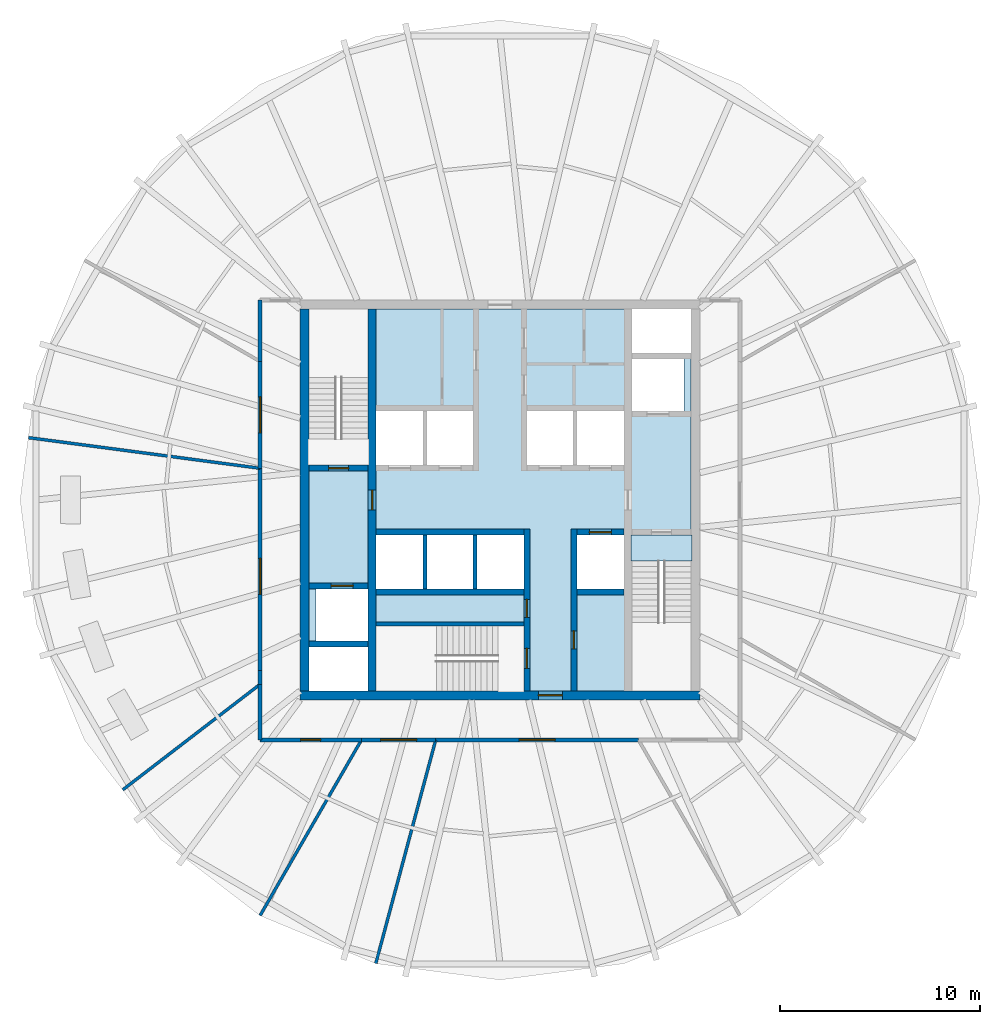
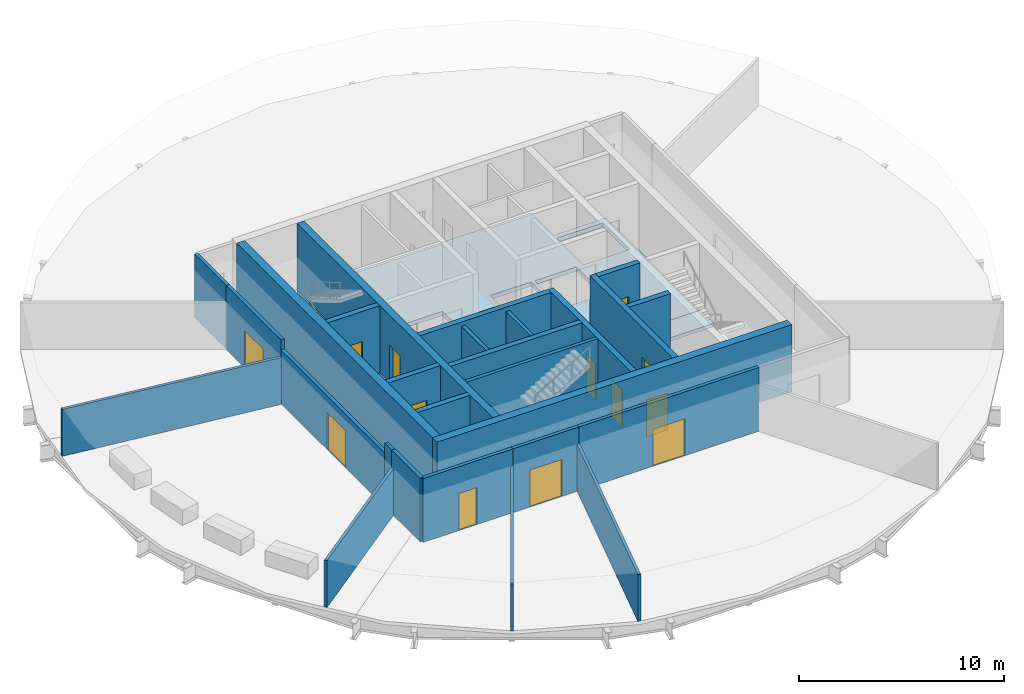
# One storey, part 3 of 7: 27 walls, 13 doors, 2 slabs, 13 openings.
"""IFC4 building model written with IfcOpenShell, lengths in metres."""

from ifc_helpers import new_model, si_unit, direction, frame, frame_2d, origin, place, context, subcontext, project, spatial, polyline, rectangle, outline, extrude, material, layer, layer_set, type_object, element, fill, save


model = new_model("IFC4")

# Units and contexts
model_context = context("Model", 3, precision=1e-05, world=origin(), true_north=direction((0.0, 1.0)))
body_context = subcontext(model_context, "Body", "Model", "MODEL_VIEW")
ifc_project = project(units=[si_unit("LENGTHUNIT", "METRE"), si_unit("AREAUNIT", "SQUARE_METRE"), si_unit("VOLUMEUNIT", "CUBIC_METRE"), si_unit("PLANEANGLEUNIT", "RADIAN"), si_unit("MASSUNIT", "GRAM", prefix="KILO")], contexts=[model_context])

# Site, building, storey
site_placement = place(None, origin())
site = spatial("IfcSite", under=ifc_project, at=site_placement, CompositionType="ELEMENT")
building_placement = place(site_placement, origin())
building = spatial("IfcBuilding", under=site, at=building_placement, Name="Golbaran Civic Tower", CompositionType="ELEMENT")
storey_placement = place(building_placement, frame((0.0, 0.0, 171.0)))
storey = spatial("IfcBuildingStorey", under=building, at=storey_placement, Name="L41", CompositionType="ELEMENT", Elevation=171.0)

# Slabs
ifc_material_1 = material(Name="Concrete C35/45", Category="concrete")
ifc_layer_1 = layer(ifc_material_1, 0.25, Name="Concrete C35/45")
ifc_layer_set_1 = layer_set([ifc_layer_1], Name="Concrete C35/45")
slab_type_1 = type_object("IfcSlabType", Name="CORE FLOOR SLAB 250", PredefinedType="FLOOR", material=ifc_layer_set_1)
slab_1_placement = place(storey_placement, frame((0.0, 0.0, -0.25)))
element("IfcSlab", 1, at=slab_1_placement, inside=storey, type_object=slab_type_1, Name="Core floor slab L41", PredefinedType="FLOOR", context=body_context, shape_type="SweptSolid", body=[
    extrude(outline(polyline([(6.60009765625, -1.75), (6.60009765625, -9.550048828125), (1.199951171875, -9.550048828125), (1.199951171875, -6.300048828125), (-6.199951171875, -6.300048828125), (-6.199951171875, -9.550048828125), (-6.60009765625, -9.550048828125), (-6.60009765625, -7.35009765625), (-9.550048828125, -7.35009765625), (-9.550048828125, 1.75), (-6.60009765625, 1.75), (-6.60009765625, 9.550048828125), (6.60009765625, 9.550048828125), (6.60009765625, 7.35009765625), (9.550048828125, 7.35009765625), (9.550048828125, -1.75), (6.60009765625, -1.75)]), holes=[polyline([(9.199951171875, 7.050048828125), (6.60009765625, 7.050048828125), (6.60009765625, 4.449951171875), (9.199951171875, 4.449951171875), (9.199951171875, 7.050048828125)]), polyline([(6.199951171875, -1.75), (3.85009765625, -1.75), (3.85009765625, -4.449951171875), (6.199951171875, -4.449951171875), (6.199951171875, -1.75)]), polyline([(6.199951171875, 4.449951171875), (3.85009765625, 4.449951171875), (3.85009765625, 1.75), (6.199951171875, 1.75), (6.199951171875, 4.449951171875)]), polyline([(3.64990234375, 4.449951171875), (1.35009765625, 4.449951171875), (1.35009765625, 1.75), (3.64990234375, 1.75), (3.64990234375, 4.449951171875)]), polyline([(1.199951171875, -1.75), (-1.14990234375, -1.75), (-1.14990234375, -4.449951171875), (1.199951171875, -4.449951171875), (1.199951171875, -1.75)]), polyline([(-1.35009765625, 4.449951171875), (-3.64990234375, 4.449951171875), (-3.64990234375, 1.75), (-1.35009765625, 1.75), (-1.35009765625, 4.449951171875)]), polyline([(-1.35009765625, -1.75), (-3.64990234375, -1.75), (-3.64990234375, -4.449951171875), (-1.35009765625, -4.449951171875), (-1.35009765625, -1.75)]), polyline([(-3.85009765625, -1.75), (-6.199951171875, -1.75), (-6.199951171875, -4.449951171875), (-3.85009765625, -4.449951171875), (-3.85009765625, -1.75)]), polyline([(-3.85009765625, 4.449951171875), (-6.199951171875, 4.449951171875), (-6.199951171875, 1.75), (-3.85009765625, 1.75), (-3.85009765625, 4.449951171875)]), polyline([(-6.60009765625, -4.449951171875), (-9.199951171875, -4.449951171875), (-9.199951171875, -7.050048828125), (-6.60009765625, -7.050048828125), (-6.60009765625, -4.449951171875)])]), origin(), (0.0, 0.0, 1.0), 0.25),
])
ifc_layer_2 = layer(ifc_material_1, 0.199951171875, Name="Concrete C35/45")
ifc_layer_set_2 = layer_set([ifc_layer_2], Name="Concrete C35/45")
slab_type_2 = type_object("IfcSlabType", Name="STAIR LANDING 200", PredefinedType="LANDING", material=ifc_layer_set_2)
slab_2_placement = place(storey_placement, frame((0.0, 0.0, -0.199951171875)))
element("IfcSlab", 2, at=slab_2_placement, inside=storey, type_object=slab_type_2, Name="Stair S2 floor landing L41", PredefinedType="LANDING", context=body_context, shape_type="SweptSolid", body=[
    extrude(outline(polyline([(9.60009765625, -1.75), (9.60009765625, -3.054931640625), (6.550048828125, -3.054931640625), (6.550048828125, -1.75), (9.60009765625, -1.75)])), origin(), (0.0, 0.0, 1.0), 0.199951171875),
])

# Wall, opening, door
ifc_material_2 = material(Name="Concrete C50/60", Category="concrete")
ifc_layer_3 = layer(ifc_material_2, 0.39990234375, Name="Concrete C50/60")
ifc_layer_set_3 = layer_set([ifc_layer_3], Name="Concrete C50/60")
wall_type_1 = type_object("IfcWallType", Name="CORE WALL CONCRETE 400", PredefinedType="SOLIDWALL", material=ifc_layer_set_3)
wall_1_placement = place(storey_placement, frame((-6.39990234375, -9.550048828125, 0.0), z_axis=(0.0, 0.0, 1.0), x_axis=(0.0, 1.0, 0.0)))
wall_1 = element("IfcWall", 3, at=wall_1_placement, inside=storey, type_object=wall_type_1, Name="Core wall IW L41", PredefinedType="SOLIDWALL", context=body_context, shape_type="SweptSolid", body=[
    extrude(rectangle(XDim=19.10009765625, YDim=0.39990234375, at=frame_2d((9.550048828125, 0.0))), origin(), (0.0, 0.0, 1.0), 4.0),
])
opening_1_placement = place(wall_1_placement, frame((9.050048828125, 0.0, 0.0)))
opening_1 = element("IfcOpeningElement", 4, at=opening_1_placement, cuts=wall_1, Name="Opening L41.FL1", PredefinedType="OPENING", context=body_context, shape_type="SweptSolid", body=[
    extrude(rectangle(XDim=1.0, YDim=2.199951171875, at=frame_2d((0.5, 1.10009765625))), frame((0.0, 0.2099609375, 0.0), z_axis=(0.0, -1.0, 0.0), x_axis=(1.0, 0.0, 0.0)), (0.0, 0.0, 1.0), 0.419921875),
])
ifc_material_3 = material(Name="Timber door set in steel frame", Category="steel")
door_type_1 = type_object("IfcDoorType", Name="STAIR DOOR 1000x2200", OperationType="SINGLE_SWING_LEFT", PredefinedType="DOOR", material=ifc_material_3)
door_1_placement = place(opening_1_placement, origin())
door_1 = element("IfcDoor", 5, at=door_1_placement, inside=storey, type_object=door_type_1, Name="Fire-fighting lobby FL1 door", OperationType="SINGLE_SWING_LEFT", OverallHeight=2.199951171875, OverallWidth=1.0, PredefinedType="DOOR", context=body_context, shape_type="SweptSolid", body=[
    extrude(rectangle(XDim=1.0, YDim=2.199951171875, at=frame_2d((0.5, 1.10009765625))), frame((0.0, 0.02490234375, 0.0), z_axis=(0.0, -1.0, 0.0), x_axis=(1.0, 0.0, 0.0)), (0.0, 0.0, 1.0), 0.050048828125),
])
fill(opening_1, door_1)

ifc_layer_4 = layer(ifc_material_2, 0.449951171875, Name="Concrete C50/60")
ifc_layer_set_4 = layer_set([ifc_layer_4], Name="Concrete C50/60")
wall_type_2 = type_object("IfcWallType", Name="CORE WALL CONCRETE 450", PredefinedType="SOLIDWALL", material=ifc_layer_set_4)
wall_2_placement = place(storey_placement, frame((10.0, -9.77490234375, 0.0), z_axis=(0.0, 0.0, 1.0), x_axis=(-1.0, 0.0, 0.0)))
wall_2 = element("IfcWall", 6, at=wall_2_placement, inside=storey, type_object=wall_type_2, Name="Core wall CS L41", PredefinedType="SOLIDWALL", context=body_context, shape_type="SweptSolid", body=[
    extrude(rectangle(XDim=20.0, YDim=0.449951171875, at=frame_2d((10.0, 0.0))), origin(), (0.0, 0.0, 1.0), 4.0),
])
opening_2_placement = place(wall_2_placement, frame((6.875, 0.0, 0.0)))
opening_2 = element("IfcOpeningElement", 7, at=opening_2_placement, cuts=wall_2, Name="Opening L41.CS", PredefinedType="OPENING", context=body_context, shape_type="SweptSolid", body=[
    extrude(rectangle(XDim=1.199951171875, YDim=2.199951171875, at=frame_2d((0.60009765625, 1.10009765625))), frame((0.0, 0.23486328125, 0.0), z_axis=(0.0, -1.0, 0.0), x_axis=(1.0, 0.0, 0.0)), (0.0, 0.0, 1.0), 0.469970703125),
])
door_type_2 = type_object("IfcDoorType", Name="CORE DOOR 1200x2200", OperationType="DOUBLE_DOOR_SINGLE_SWING", PredefinedType="DOOR", material=ifc_material_3)
door_2_placement = place(opening_2_placement, origin())
door_2 = element("IfcDoor", 8, at=door_2_placement, inside=storey, type_object=door_type_2, Name="Core door south", OperationType="DOUBLE_DOOR_SINGLE_SWING", OverallHeight=2.199951171875, OverallWidth=1.199951171875, PredefinedType="DOOR", context=body_context, shape_type="SweptSolid", body=[
    extrude(rectangle(XDim=1.199951171875, YDim=2.199951171875, at=frame_2d((0.60009765625, 1.10009765625))), frame((0.0, 0.02490234375, 0.0), z_axis=(0.0, -1.0, 0.0), x_axis=(1.0, 0.0, 0.0)), (0.0, 0.0, 1.0), 0.050048828125),
])
fill(opening_2, door_2)

# Walls
wall_3_placement = place(storey_placement, frame((-9.77490234375, 9.550048828125, 0.0), z_axis=(0.0, 0.0, 1.0), x_axis=(0.0, -1.0, 0.0)))
element("IfcWall", 9, at=wall_3_placement, inside=storey, type_object=wall_type_2, Name="Core wall CW L41", PredefinedType="SOLIDWALL", context=body_context, shape_type="SweptSolid", body=[
    extrude(rectangle(XDim=19.10009765625, YDim=0.449951171875, at=frame_2d((9.550048828125, 0.0))), origin(), (0.0, 0.0, 1.0), 4.0),
])
ifc_material_4 = material(Name="Gypsum board on steel studs, fire-rated", Category="steel")
ifc_layer_5 = layer(ifc_material_4, 0.199951171875, Name="Gypsum board on steel studs, fire-rated")
ifc_layer_set_5 = layer_set([ifc_layer_5], Name="Gypsum board on steel studs, fire-rated")
wall_type_3 = type_object("IfcWallType", Name="CORRIDOR WALL 200", PredefinedType="PARTITIONING", material=ifc_layer_set_5)
wall_4_placement = place(storey_placement, frame((-12.0, 10.0, 0.0), z_axis=(0.0, 0.0, 1.0), x_axis=(0.0, -1.0, 0.0)))
element("IfcWall", 10, at=wall_4_placement, inside=storey, type_object=wall_type_3, Name="Corridor wall L41", PredefinedType="PARTITIONING", context=body_context, shape_type="SweptSolid", body=[
    extrude(rectangle(XDim=3.07177734375, YDim=0.199951171875, at=frame_2d((1.535888671875, 0.0))), origin(), (0.0, 0.0, 1.0), 3.800048828125),
])

# Wall, opening, door
wall_5_placement = place(storey_placement, frame((-12.0, 6.92822265625, 0.0), z_axis=(0.0, 0.0, 1.0), x_axis=(0.0, -1.0, 0.0)))
wall_5 = element("IfcWall", 11, at=wall_5_placement, inside=storey, type_object=wall_type_3, Name="Corridor wall L41", PredefinedType="PARTITIONING", context=body_context, shape_type="SweptSolid", body=[
    extrude(rectangle(XDim=5.341552734375, YDim=0.199951171875, at=frame_2d((2.6708984375, 0.0))), origin(), (0.0, 0.0, 1.0), 3.800048828125),
])
opening_3_placement = place(wall_5_placement, frame((1.770751953125, 0.0, 0.0)))
opening_3 = element("IfcOpeningElement", 12, at=opening_3_placement, cuts=wall_5, Name="Opening L41.03", PredefinedType="OPENING", context=body_context, shape_type="SweptSolid", body=[
    extrude(rectangle(XDim=1.800048828125, YDim=2.199951171875, at=frame_2d((0.89990234375, 1.10009765625))), frame((0.0, 0.10986328125, 0.0), z_axis=(0.0, -1.0, 0.0), x_axis=(1.0, 0.0, 0.0)), (0.0, 0.0, 1.0), 0.219970703125),
])
door_type_3 = type_object("IfcDoorType", Name="OFFICE DOUBLE DOOR 1800x2200", OperationType="DOUBLE_DOOR_SINGLE_SWING", PredefinedType="DOOR", material=ifc_material_3)
door_3_placement = place(opening_3_placement, origin())
door_3 = element("IfcDoor", 13, at=door_3_placement, inside=storey, type_object=door_type_3, Name="Staff Lounge door L41", OperationType="DOUBLE_DOOR_SINGLE_SWING", OverallHeight=2.199951171875, OverallWidth=1.800048828125, PredefinedType="DOOR", context=body_context, shape_type="SweptSolid", body=[
    extrude(rectangle(XDim=1.800048828125, YDim=2.199951171875, at=frame_2d((0.89990234375, 1.10009765625))), frame((0.0, 0.02490234375, 0.0), z_axis=(0.0, -1.0, 0.0), x_axis=(1.0, 0.0, 0.0)), (0.0, 0.0, 1.0), 0.050048828125),
])
fill(opening_3, door_3)

wall_6_placement = place(storey_placement, frame((-12.0, 1.586669921875, 0.0), z_axis=(0.0, 0.0, 1.0), x_axis=(0.0, -1.0, 0.0)))
wall_6 = element("IfcWall", 14, at=wall_6_placement, inside=storey, type_object=wall_type_3, Name="Corridor wall L41", PredefinedType="PARTITIONING", context=body_context, shape_type="SweptSolid", body=[
    extrude(rectangle(XDim=10.12353515625, YDim=0.199951171875, at=frame_2d((5.061767578125, 0.0))), origin(), (0.0, 0.0, 1.0), 3.199951171875),
])
opening_4_placement = place(wall_6_placement, frame((4.502685546875, 0.0, 0.0)))
opening_4 = element("IfcOpeningElement", 15, at=opening_4_placement, cuts=wall_6, Name="Opening L41.04", PredefinedType="OPENING", context=body_context, shape_type="SweptSolid", body=[
    extrude(rectangle(XDim=1.800048828125, YDim=2.199951171875, at=frame_2d((0.89990234375, 1.10009765625))), frame((0.0, 0.10986328125, 0.0), z_axis=(0.0, -1.0, 0.0), x_axis=(1.0, 0.0, 0.0)), (0.0, 0.0, 1.0), 0.219970703125),
])
door_4_placement = place(opening_4_placement, origin())
door_4 = element("IfcDoor", 16, at=door_4_placement, inside=storey, type_object=door_type_3, Name="Sky Garden door L41", OperationType="DOUBLE_DOOR_SINGLE_SWING", OverallHeight=2.199951171875, OverallWidth=1.800048828125, PredefinedType="DOOR", context=body_context, shape_type="SweptSolid", body=[
    extrude(rectangle(XDim=1.800048828125, YDim=2.199951171875, at=frame_2d((0.89990234375, 1.10009765625))), frame((0.0, 0.02490234375, 0.0), z_axis=(0.0, -1.0, 0.0), x_axis=(1.0, 0.0, 0.0)), (0.0, 0.0, 1.0), 0.050048828125),
])
fill(opening_4, door_4)

# Walls
wall_7_placement = place(storey_placement, frame((-12.0, -8.536865234375, 0.0), z_axis=(0.0, 0.0, 1.0), x_axis=(0.0, -1.0, 0.0)))
element("IfcWall", 17, at=wall_7_placement, inside=storey, type_object=wall_type_3, Name="Corridor wall L41 (part 2)", PredefinedType="PARTITIONING", context=body_context, shape_type="SweptSolid", body=[
    extrude(rectangle(XDim=0.681884765625, YDim=0.199951171875, at=frame_2d((0.3408203125, 0.0))), origin(), (0.0, 0.0, 1.0), 3.800048828125),
])
wall_8_placement = place(storey_placement, frame((-12.0, -9.21875, 0.0), z_axis=(0.0, 0.0, 1.0), x_axis=(0.0, -1.0, 0.0)))
element("IfcWall", 18, at=wall_8_placement, inside=storey, type_object=wall_type_3, Name="Corridor wall L41", PredefinedType="PARTITIONING", context=body_context, shape_type="SweptSolid", body=[
    extrude(rectangle(XDim=2.78125, YDim=0.199951171875, at=frame_2d((1.390625, 0.0))), origin(), (0.0, 0.0, 1.0), 3.800048828125),
])

# Wall, opening, door
wall_9_placement = place(storey_placement, frame((-12.0, -12.0, 0.0), z_axis=(0.0, 0.0, 1.0), x_axis=(1.0, 0.0, 0.0)))
wall_9 = element("IfcWall", 19, at=wall_9_placement, inside=storey, type_object=wall_type_3, Name="Corridor wall L41", PredefinedType="PARTITIONING", context=body_context, shape_type="SweptSolid", body=[
    extrude(rectangle(XDim=5.07177734375, YDim=0.199951171875, at=frame_2d((2.535888671875, 0.0))), origin(), (0.0, 0.0, 1.0), 3.800048828125),
])
opening_5_placement = place(wall_9_placement, frame((2.035888671875, 0.0, 0.0)))
opening_5 = element("IfcOpeningElement", 20, at=opening_5_placement, cuts=wall_9, Name="Opening L41.05", PredefinedType="OPENING", context=body_context, shape_type="SweptSolid", body=[
    extrude(rectangle(XDim=1.0, YDim=2.199951171875, at=frame_2d((0.5, 1.10009765625))), frame((0.0, 0.10986328125, 0.0), z_axis=(0.0, -1.0, 0.0), x_axis=(1.0, 0.0, 0.0)), (0.0, 0.0, 1.0), 0.219970703125),
])
door_type_4 = type_object("IfcDoorType", Name="OFFICE DOOR 1000x2200", OperationType="SINGLE_SWING_LEFT", PredefinedType="DOOR", material=ifc_material_3)
door_5_placement = place(opening_5_placement, origin())
door_5 = element("IfcDoor", 21, at=door_5_placement, inside=storey, type_object=door_type_4, Name="Project Room door L41", OperationType="SINGLE_SWING_LEFT", OverallHeight=2.199951171875, OverallWidth=1.0, PredefinedType="DOOR", context=body_context, shape_type="SweptSolid", body=[
    extrude(rectangle(XDim=1.0, YDim=2.199951171875, at=frame_2d((0.5, 1.10009765625))), frame((0.0, 0.02490234375, 0.0), z_axis=(0.0, -1.0, 0.0), x_axis=(1.0, 0.0, 0.0)), (0.0, 0.0, 1.0), 0.050048828125),
])
fill(opening_5, door_5)

wall_10_placement = place(storey_placement, frame((-6.92822265625, -12.0, 0.0), z_axis=(0.0, 0.0, 1.0), x_axis=(1.0, 0.0, 0.0)))
wall_10 = element("IfcWall", 22, at=wall_10_placement, inside=storey, type_object=wall_type_3, Name="Corridor wall L41", PredefinedType="PARTITIONING", context=body_context, shape_type="SweptSolid", body=[
    extrude(rectangle(XDim=3.712890625, YDim=0.199951171875, at=frame_2d((1.8564453125, 0.0))), origin(), (0.0, 0.0, 1.0), 3.800048828125),
])
opening_6_placement = place(wall_10_placement, frame((0.956298828125, 0.0, 0.0)))
opening_6 = element("IfcOpeningElement", 23, at=opening_6_placement, cuts=wall_10, Name="Opening L41.06", PredefinedType="OPENING", context=body_context, shape_type="SweptSolid", body=[
    extrude(rectangle(XDim=1.800048828125, YDim=2.199951171875, at=frame_2d((0.89990234375, 1.10009765625))), frame((0.0, 0.10986328125, 0.0), z_axis=(0.0, -1.0, 0.0), x_axis=(1.0, 0.0, 0.0)), (0.0, 0.0, 1.0), 0.219970703125),
])
door_6_placement = place(opening_6_placement, origin())
door_6 = element("IfcDoor", 24, at=door_6_placement, inside=storey, type_object=door_type_3, Name="IT Services Office door L41", OperationType="DOUBLE_DOOR_SINGLE_SWING", OverallHeight=2.199951171875, OverallWidth=1.800048828125, PredefinedType="DOOR", context=body_context, shape_type="SweptSolid", body=[
    extrude(rectangle(XDim=1.800048828125, YDim=2.199951171875, at=frame_2d((0.89990234375, 1.10009765625))), frame((0.0, 0.02490234375, 0.0), z_axis=(0.0, -1.0, 0.0), x_axis=(1.0, 0.0, 0.0)), (0.0, 0.0, 1.0), 0.050048828125),
])
fill(opening_6, door_6)

wall_11_placement = place(storey_placement, frame((-3.21533203125, -12.0, 0.0), z_axis=(0.0, 0.0, 1.0), x_axis=(1.0, 0.0, 0.0)))
wall_11 = element("IfcWall", 25, at=wall_11_placement, inside=storey, type_object=wall_type_3, Name="Corridor wall L41", PredefinedType="PARTITIONING", context=body_context, shape_type="SweptSolid", body=[
    extrude(rectangle(XDim=10.1435546875, YDim=0.199951171875, at=frame_2d((5.07177734375, 0.0))), origin(), (0.0, 0.0, 1.0), 3.800048828125),
])
opening_7_placement = place(wall_11_placement, frame((4.171875, 0.0, 0.0)))
opening_7 = element("IfcOpeningElement", 26, at=opening_7_placement, cuts=wall_11, Name="Opening L41.07", PredefinedType="OPENING", context=body_context, shape_type="SweptSolid", body=[
    extrude(rectangle(XDim=1.800048828125, YDim=2.199951171875, at=frame_2d((0.89990234375, 1.10009765625))), frame((0.0, 0.10986328125, 0.0), z_axis=(0.0, -1.0, 0.0), x_axis=(1.0, 0.0, 0.0)), (0.0, 0.0, 1.0), 0.219970703125),
])
door_7_placement = place(opening_7_placement, origin())
door_7 = element("IfcDoor", 27, at=door_7_placement, inside=storey, type_object=door_type_3, Name="IT Services Office door L41", OperationType="DOUBLE_DOOR_SINGLE_SWING", OverallHeight=2.199951171875, OverallWidth=1.800048828125, PredefinedType="DOOR", context=body_context, shape_type="SweptSolid", body=[
    extrude(rectangle(XDim=1.800048828125, YDim=2.199951171875, at=frame_2d((0.89990234375, 1.10009765625))), frame((0.0, 0.02490234375, 0.0), z_axis=(0.0, -1.0, 0.0), x_axis=(1.0, 0.0, 0.0)), (0.0, 0.0, 1.0), 0.050048828125),
])
fill(opening_7, door_7)

# Walls
ifc_material_5 = material(Name="Concrete block", Category="concrete")
ifc_layer_6 = layer(ifc_material_5, 0.199951171875, Name="Concrete block")
ifc_layer_set_6 = layer_set([ifc_layer_6], Name="Concrete block")
wall_type_4 = type_object("IfcWallType", Name="LIFT SEPARATOR WALL 200", PredefinedType="SOLIDWALL", material=ifc_layer_set_6)
for number, where, z_axis, x_axis, name in (
    (28, (-3.75, -1.75, 0.0), (0.0, 0.0, 1.0), (0.0, -1.0, 0.0), "Core partition SSW L41"),
    (29, (-1.25, -1.75, 0.0), (0.0, 0.0, 1.0), (0.0, -1.0, 0.0), "Core partition SSM L41"),
):
    element("IfcWall", number, at=place(storey_placement, frame(where, z_axis=z_axis, x_axis=x_axis)), inside=storey, type_object=wall_type_4, Name=name, PredefinedType="SOLIDWALL", context=body_context, shape_type="SweptSolid", body=[
        extrude(rectangle(XDim=2.699951171875, YDim=0.199951171875, at=frame_2d((1.35009765625, 0.0))), origin(), (0.0, 0.0, 1.0), 3.75),
    ])
ifc_material_6 = material(Name="Gypsum board on steel studs", Category="steel")
ifc_layer_7 = layer(ifc_material_6, 0.14990234375, Name="Gypsum board on steel studs")
ifc_layer_set_7 = layer_set([ifc_layer_7], Name="Gypsum board on steel studs")
wall_type_5 = type_object("IfcWallType", Name="OFFICE PARTITION 150", PredefinedType="PARTITIONING", material=ifc_layer_set_7)
wall_12_placement = place(storey_placement, frame((-12.0, 1.586669921875, 0.0), z_axis=(0.0, 0.0, 1.0), x_axis=(-0.991370229238, 0.131091832627, 0.0)))
element("IfcWall", 30, at=wall_12_placement, inside=storey, type_object=wall_type_5, Name="Partition 172.467 L41", PredefinedType="PARTITIONING", context=body_context, shape_type="SweptSolid", body=[
    extrude(rectangle(XDim=11.6826171875, YDim=0.14990234375, at=frame_2d((5.84130859375, 0.0))), origin(), (0.0, 0.0, 1.0), 2.7900390625),
])
wall_13_placement = place(storey_placement, frame((-12.0, -9.21875, 0.0), z_axis=(0.0, 0.0, 1.0), x_axis=(-0.793000302296, -0.60922124106, 0.0)))
element("IfcWall", 31, at=wall_13_placement, inside=storey, type_object=wall_type_5, Name="Partition 217.533 L41", PredefinedType="PARTITIONING", context=body_context, shape_type="SweptSolid", body=[
    extrude(rectangle(XDim=8.65478515625, YDim=0.14990234375, at=frame_2d((4.327392578125, 0.0))), origin(), (0.0, 0.0, 1.0), 2.7900390625),
])
wall_14_placement = place(storey_placement, frame((-6.92822265625, -12.0, 0.0), z_axis=(0.0, 0.0, 1.0), x_axis=(-0.49999906822, -0.866025941747, 0.0)))
element("IfcWall", 32, at=wall_14_placement, inside=storey, type_object=wall_type_5, Name="Partition 240 L41", PredefinedType="PARTITIONING", context=body_context, shape_type="SweptSolid", body=[
    extrude(rectangle(XDim=10.1357421875, YDim=0.14990234375, at=frame_2d((5.06787109375, 0.0))), origin(), (0.0, 0.0, 1.0), 2.7900390625),
])
wall_15_placement = place(storey_placement, frame((-3.21533203125, -12.0, 0.0), z_axis=(0.0, 0.0, 1.0), x_axis=(-0.258827502911, -0.965923559986, 0.0)))
element("IfcWall", 33, at=wall_15_placement, inside=storey, type_object=wall_type_5, Name="Partition 255 L41", PredefinedType="PARTITIONING", context=body_context, shape_type="SweptSolid", body=[
    extrude(rectangle(XDim=11.569091796875, YDim=0.14990234375, at=frame_2d((5.78466796875, 0.0))), origin(), (0.0, 0.0, 1.0), 2.7900390625),
])
ifc_layer_8 = layer(ifc_material_2, 0.199951171875, Name="Concrete C50/60")
ifc_layer_set_8 = layer_set([ifc_layer_8], Name="Concrete C50/60")
wall_type_6 = type_object("IfcWallType", Name="SHAFT WALL CONCRETE 200", PredefinedType="SOLIDWALL", material=ifc_layer_set_8)
wall_16_placement = place(storey_placement, frame((-6.199951171875, -6.199951171875, 0.0), z_axis=(0.0, 0.0, 1.0), x_axis=(1.0, 0.0, 0.0)))
element("IfcWall", 34, at=wall_16_placement, inside=storey, type_object=wall_type_6, Name="Core wall S3N L41", PredefinedType="SOLIDWALL", context=body_context, shape_type="SweptSolid", body=[
    extrude(rectangle(XDim=7.39990234375, YDim=0.199951171875, at=frame_2d((3.699951171875, 0.0))), origin(), (0.0, 0.0, 1.0), 4.0),
])
ifc_layer_9 = layer(ifc_material_2, 0.300048828125, Name="Concrete C50/60")
ifc_layer_set_9 = layer_set([ifc_layer_9], Name="Concrete C50/60")
wall_type_7 = type_object("IfcWallType", Name="SHAFT WALL CONCRETE 300", PredefinedType="SOLIDWALL", material=ifc_layer_set_9)
wall_17_placement = place(storey_placement, frame((-6.199951171875, -1.60009765625, 0.0), z_axis=(0.0, 0.0, 1.0), x_axis=(1.0, 0.0, 0.0)))
element("IfcWall", 35, at=wall_17_placement, inside=storey, type_object=wall_type_7, Name="Core wall FSW L41", PredefinedType="SOLIDWALL", context=body_context, shape_type="SweptSolid", body=[
    extrude(rectangle(XDim=7.39990234375, YDim=0.300048828125, at=frame_2d((3.699951171875, 0.0))), origin(), (0.0, 0.0, 1.0), 4.0),
])

# Wall, opening, door
wall_18_placement = place(storey_placement, frame((3.85009765625, -1.60009765625, 0.0), z_axis=(0.0, 0.0, 1.0), x_axis=(1.0, 0.0, 0.0)))
wall_18 = element("IfcWall", 36, at=wall_18_placement, inside=storey, type_object=wall_type_7, Name="Core wall FSE L41", PredefinedType="SOLIDWALL", context=body_context, shape_type="SweptSolid", body=[
    extrude(rectangle(XDim=2.349853515625, YDim=0.300048828125, at=frame_2d((1.1748046875, 0.0))), origin(), (0.0, 0.0, 1.0), 4.0),
])
opening_8_placement = place(wall_18_placement, frame((0.625, 0.0, 0.0)))
opening_8 = element("IfcOpeningElement", 37, at=opening_8_placement, cuts=wall_18, Name="Opening L41.LD-V1", PredefinedType="OPENING", context=body_context, shape_type="SweptSolid", body=[
    extrude(rectangle(XDim=1.10009765625, YDim=2.199951171875, at=frame_2d((0.550048828125, 1.10009765625))), frame((0.0, 0.159912109375, 0.0), z_axis=(0.0, -1.0, 0.0), x_axis=(1.0, 0.0, 0.0)), (0.0, 0.0, 1.0), 0.320068359375),
])
ifc_material_7 = material(Name="Stainless steel", Category="steel")
door_type_5 = type_object("IfcDoorType", Name="LIFT LANDING DOOR 1100x2200", OperationType="SLIDING_TO_LEFT", PredefinedType="DOOR", material=ifc_material_7)
door_8_placement = place(opening_8_placement, origin())
door_8 = element("IfcDoor", 38, at=door_8_placement, inside=storey, type_object=door_type_5, Name="Lift landing door V1", OperationType="SLIDING_TO_LEFT", OverallHeight=2.199951171875, OverallWidth=1.10009765625, PredefinedType="DOOR", context=body_context, shape_type="SweptSolid", body=[
    extrude(rectangle(XDim=1.10009765625, YDim=2.199951171875, at=frame_2d((0.550048828125, 1.10009765625))), frame((0.0, 0.02490234375, 0.0), z_axis=(0.0, -1.0, 0.0), x_axis=(1.0, 0.0, 0.0)), (0.0, 0.0, 1.0), 0.050048828125),
])
fill(opening_8, door_8)

# Walls
wall_19_placement = place(storey_placement, frame((-6.199951171875, -4.60009765625, 0.0), z_axis=(0.0, 0.0, 1.0), x_axis=(1.0, 0.0, 0.0)))
element("IfcWall", 39, at=wall_19_placement, inside=storey, type_object=wall_type_7, Name="Core wall BSW L41", PredefinedType="SOLIDWALL", context=body_context, shape_type="SweptSolid", body=[
    extrude(rectangle(XDim=7.39990234375, YDim=0.300048828125, at=frame_2d((3.699951171875, 0.0))), origin(), (0.0, 0.0, 1.0), 4.0),
])
wall_20_placement = place(storey_placement, frame((3.85009765625, -4.60009765625, 0.0), z_axis=(0.0, 0.0, 1.0), x_axis=(1.0, 0.0, 0.0)))
element("IfcWall", 40, at=wall_20_placement, inside=storey, type_object=wall_type_7, Name="Core wall BSE L41", PredefinedType="SOLIDWALL", context=body_context, shape_type="SweptSolid", body=[
    extrude(rectangle(XDim=2.349853515625, YDim=0.300048828125, at=frame_2d((1.1748046875, 0.0))), origin(), (0.0, 0.0, 1.0), 4.0),
])

# Wall, openings, doors
wall_21_placement = place(storey_placement, frame((1.35009765625, -1.449951171875, 0.0), z_axis=(0.0, 0.0, 1.0), x_axis=(0.0, -1.0, 0.0)))
wall_21 = element("IfcWall", 41, at=wall_21_placement, inside=storey, type_object=wall_type_7, Name="Core wall PSW L41", PredefinedType="SOLIDWALL", context=body_context, shape_type="SweptSolid", body=[
    extrude(rectangle(XDim=8.10009765625, YDim=0.300048828125, at=frame_2d((4.050048828125, 0.0))), origin(), (0.0, 0.0, 1.0), 4.0),
])
opening_9_placement = place(wall_21_placement, frame((5.97509765625, 0.0, 0.0)))
opening_9 = element("IfcOpeningElement", 42, at=opening_9_placement, cuts=wall_21, Name="Opening L41.S3", PredefinedType="OPENING", context=body_context, shape_type="SweptSolid", body=[
    extrude(rectangle(XDim=1.0, YDim=2.199951171875, at=frame_2d((0.5, 1.10009765625))), frame((0.0, 0.159912109375, 0.0), z_axis=(0.0, -1.0, 0.0), x_axis=(1.0, 0.0, 0.0)), (0.0, 0.0, 1.0), 0.320068359375),
])
opening_10_placement = place(wall_21_placement, frame((3.52490234375, 0.0, 0.0)))
opening_10 = element("IfcOpeningElement", 43, at=opening_10_placement, cuts=wall_21, Name="Opening L41.RE", PredefinedType="OPENING", context=body_context, shape_type="SweptSolid", body=[
    extrude(rectangle(XDim=0.89990234375, YDim=2.199951171875, at=frame_2d((0.449951171875, 1.10009765625))), frame((0.0, 0.159912109375, 0.0), z_axis=(0.0, -1.0, 0.0), x_axis=(1.0, 0.0, 0.0)), (0.0, 0.0, 1.0), 0.320068359375),
])
door_type_6 = type_object("IfcDoorType", Name="RISER DOOR 900x2200", OperationType="SINGLE_SWING_LEFT", PredefinedType="DOOR", material=ifc_material_3)
door_9_placement = place(opening_10_placement, origin())
door_9 = element("IfcDoor", 44, at=door_9_placement, inside=storey, type_object=door_type_6, Name="Electrical riser door", OperationType="SINGLE_SWING_LEFT", OverallHeight=2.199951171875, OverallWidth=0.89990234375, PredefinedType="DOOR", context=body_context, shape_type="SweptSolid", body=[
    extrude(rectangle(XDim=0.89990234375, YDim=2.199951171875, at=frame_2d((0.449951171875, 1.10009765625))), frame((0.0, 0.02490234375, 0.0), z_axis=(0.0, -1.0, 0.0), x_axis=(1.0, 0.0, 0.0)), (0.0, 0.0, 1.0), 0.050048828125),
])
fill(opening_10, door_9)
door_10_placement = place(opening_9_placement, origin())
door_10 = element("IfcDoor", 45, at=door_10_placement, inside=storey, type_object=door_type_1, Name="Stair S3 door", OperationType="SINGLE_SWING_RIGHT", OverallHeight=2.199951171875, OverallWidth=1.0, PredefinedType="DOOR", context=body_context, shape_type="SweptSolid", body=[
    extrude(rectangle(XDim=1.0, YDim=2.199951171875, at=frame_2d((0.5, 1.10009765625))), frame((0.0, 0.02490234375, 0.0), z_axis=(0.0, -1.0, 0.0), x_axis=(1.0, 0.0, 0.0)), (0.0, 0.0, 1.0), 0.050048828125),
])
fill(opening_9, door_10)

# Wall, opening, door
wall_22_placement = place(storey_placement, frame((3.699951171875, -1.449951171875, 0.0), z_axis=(0.0, 0.0, 1.0), x_axis=(0.0, -1.0, 0.0)))
wall_22 = element("IfcWall", 46, at=wall_22_placement, inside=storey, type_object=wall_type_7, Name="Core wall PSE L41", PredefinedType="SOLIDWALL", context=body_context, shape_type="SweptSolid", body=[
    extrude(rectangle(XDim=8.10009765625, YDim=0.300048828125, at=frame_2d((4.050048828125, 0.0))), origin(), (0.0, 0.0, 1.0), 4.0),
])
opening_11_placement = place(wall_22_placement, frame((5.10009765625, 0.0, 0.0)))
opening_11 = element("IfcOpeningElement", 47, at=opening_11_placement, cuts=wall_22, Name="Opening L41.RM", PredefinedType="OPENING", context=body_context, shape_type="SweptSolid", body=[
    extrude(rectangle(XDim=0.89990234375, YDim=2.199951171875, at=frame_2d((0.449951171875, 1.10009765625))), frame((0.0, 0.159912109375, 0.0), z_axis=(0.0, -1.0, 0.0), x_axis=(1.0, 0.0, 0.0)), (0.0, 0.0, 1.0), 0.320068359375),
])
door_11_placement = place(opening_11_placement, origin())
door_11 = element("IfcDoor", 48, at=door_11_placement, inside=storey, type_object=door_type_6, Name="Mechanical riser door", OperationType="SINGLE_SWING_RIGHT", OverallHeight=2.199951171875, OverallWidth=0.89990234375, PredefinedType="DOOR", context=body_context, shape_type="SweptSolid", body=[
    extrude(rectangle(XDim=0.89990234375, YDim=2.199951171875, at=frame_2d((0.449951171875, 1.10009765625))), frame((0.0, 0.02490234375, 0.0), z_axis=(0.0, -1.0, 0.0), x_axis=(1.0, 0.0, 0.0)), (0.0, 0.0, 1.0), 0.050048828125),
])
fill(opening_11, door_11)

wall_23_placement = place(storey_placement, frame((-9.550048828125, 1.60009765625, 0.0), z_axis=(0.0, 0.0, 1.0), x_axis=(1.0, 0.0, 0.0)))
wall_23 = element("IfcWall", 49, at=wall_23_placement, inside=storey, type_object=wall_type_7, Name="Core wall XW1 L41", PredefinedType="SOLIDWALL", context=body_context, shape_type="SweptSolid", body=[
    extrude(rectangle(XDim=2.949951171875, YDim=0.300048828125, at=frame_2d((1.47509765625, 0.0))), origin(), (0.0, 0.0, 1.0), 4.0),
])
opening_12_placement = place(wall_23_placement, frame((0.97509765625, 0.0, 0.0)))
opening_12 = element("IfcOpeningElement", 50, at=opening_12_placement, cuts=wall_23, Name="Opening L41.S1", PredefinedType="OPENING", context=body_context, shape_type="SweptSolid", body=[
    extrude(rectangle(XDim=1.0, YDim=2.199951171875, at=frame_2d((0.5, 1.10009765625))), frame((0.0, 0.159912109375, 0.0), z_axis=(0.0, -1.0, 0.0), x_axis=(1.0, 0.0, 0.0)), (0.0, 0.0, 1.0), 0.320068359375),
])
door_12_placement = place(opening_12_placement, origin())
door_12 = element("IfcDoor", 51, at=door_12_placement, inside=storey, type_object=door_type_1, Name="Stair S1 door", OperationType="SINGLE_SWING_LEFT", OverallHeight=2.199951171875, OverallWidth=1.0, PredefinedType="DOOR", context=body_context, shape_type="SweptSolid", body=[
    extrude(rectangle(XDim=1.0, YDim=2.199951171875, at=frame_2d((0.5, 1.10009765625))), frame((0.0, 0.02490234375, 0.0), z_axis=(0.0, -1.0, 0.0), x_axis=(1.0, 0.0, 0.0)), (0.0, 0.0, 1.0), 0.050048828125),
])
fill(opening_12, door_12)

wall_24_placement = place(storey_placement, frame((-9.550048828125, -4.300048828125, 0.0), z_axis=(0.0, 0.0, 1.0), x_axis=(1.0, 0.0, 0.0)))
wall_24 = element("IfcWall", 52, at=wall_24_placement, inside=storey, type_object=wall_type_7, Name="Core wall XW2 L41", PredefinedType="SOLIDWALL", context=body_context, shape_type="SweptSolid", body=[
    extrude(rectangle(XDim=2.949951171875, YDim=0.300048828125, at=frame_2d((1.47509765625, 0.0))), origin(), (0.0, 0.0, 1.0), 4.0),
])
opening_13_placement = place(wall_24_placement, frame((1.10009765625, 0.0, 0.0)))
opening_13 = element("IfcOpeningElement", 53, at=opening_13_placement, cuts=wall_24, Name="Opening L41.LD-F1", PredefinedType="OPENING", context=body_context, shape_type="SweptSolid", body=[
    extrude(rectangle(XDim=1.10009765625, YDim=2.199951171875, at=frame_2d((0.550048828125, 1.10009765625))), frame((0.0, 0.159912109375, 0.0), z_axis=(0.0, -1.0, 0.0), x_axis=(1.0, 0.0, 0.0)), (0.0, 0.0, 1.0), 0.320068359375),
])
door_13_placement = place(opening_13_placement, origin())
door_13 = element("IfcDoor", 54, at=door_13_placement, inside=storey, type_object=door_type_5, Name="Lift landing door F1", OperationType="SLIDING_TO_LEFT", OverallHeight=2.199951171875, OverallWidth=1.10009765625, PredefinedType="DOOR", context=body_context, shape_type="SweptSolid", body=[
    extrude(rectangle(XDim=1.10009765625, YDim=2.199951171875, at=frame_2d((0.550048828125, 1.10009765625))), frame((0.0, 0.02490234375, 0.0), z_axis=(0.0, -1.0, 0.0), x_axis=(1.0, 0.0, 0.0)), (0.0, 0.0, 1.0), 0.050048828125),
])
fill(opening_13, door_13)

# Wall
wall_25_placement = place(storey_placement, frame((-9.550048828125, -7.199951171875, 0.0), z_axis=(0.0, 0.0, 1.0), x_axis=(1.0, 0.0, 0.0)))
element("IfcWall", 55, at=wall_25_placement, inside=storey, type_object=wall_type_7, Name="Core wall XW3 L41", PredefinedType="SOLIDWALL", context=body_context, shape_type="SweptSolid", body=[
    extrude(rectangle(XDim=2.949951171875, YDim=0.300048828125, at=frame_2d((1.47509765625, 0.0))), origin(), (0.0, 0.0, 1.0), 4.0),
])

save(model, "model.ifc")
